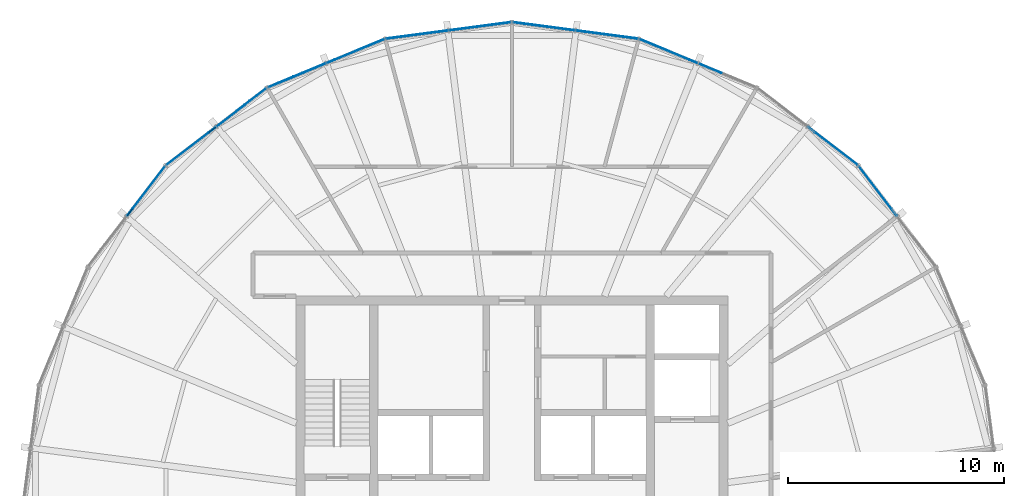
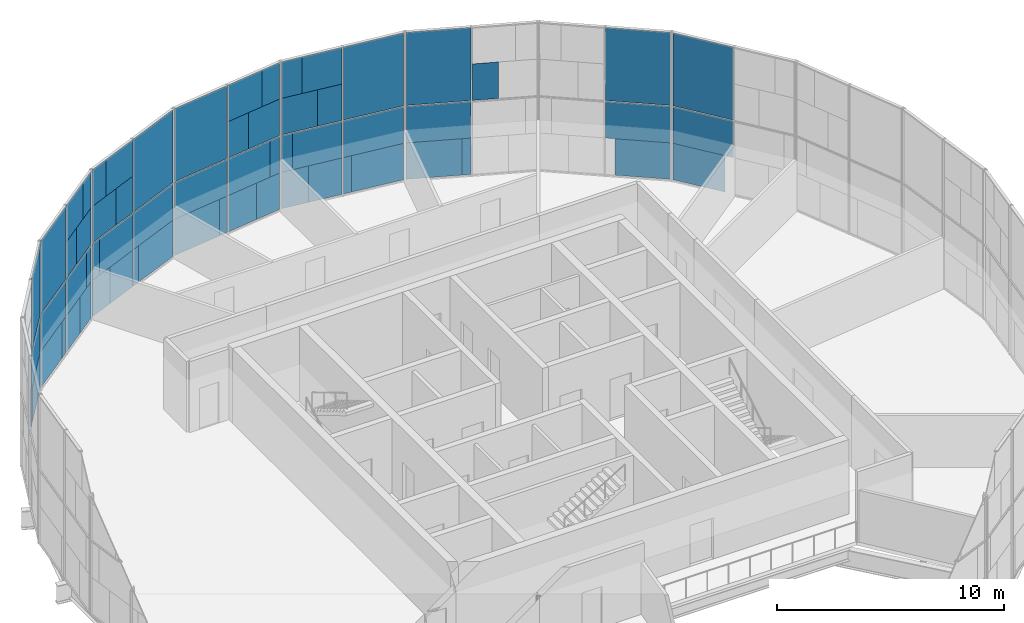
# One storey, part 14 of 19: 63 plates, 8 elements without a shape of their own.
"""IFC4 building model written with IfcOpenShell, lengths in metres."""

from ifc_helpers import new_model, si_unit, direction, frame, origin, origin_2d, place, context, subcontext, project, spatial, rectangle, extrude, material, layer, layer_set, type_object, element, aggregate, save


model = new_model("IFC4")

# Units and contexts
model_context = context("Model", 3, precision=1e-05, world=origin(), true_north=direction((0.0, 1.0)))
body_context = subcontext(model_context, "Body", "Model", "MODEL_VIEW")
ifc_project = project(units=[si_unit("LENGTHUNIT", "METRE"), si_unit("AREAUNIT", "SQUARE_METRE"), si_unit("VOLUMEUNIT", "CUBIC_METRE"), si_unit("PLANEANGLEUNIT", "RADIAN"), si_unit("MASSUNIT", "GRAM", prefix="KILO")], contexts=[model_context])

# Site, building, storey
site_placement = place(None, origin())
site = spatial("IfcSite", under=ifc_project, at=site_placement, CompositionType="ELEMENT")
building_placement = place(site_placement, origin())
building = spatial("IfcBuilding", under=site, at=building_placement, Name="Golbaran Civic Tower", CompositionType="ELEMENT")
storey_placement = place(building_placement, frame((0.0, 0.0, 240.0)))
storey = spatial("IfcBuildingStorey", under=building, at=storey_placement, Name="L58", CompositionType="ELEMENT", Elevation=240.0)

# Curtain wall, plates
ifc_material_1 = material(Name="Aluminium and glass", Category="aluminium")
curtain_wall_type = type_object("IfcCurtainWallType", Name="INNER SKIN CURTAIN WALL EXECUTIVE", PredefinedType="NOTDEFINED", material=ifc_material_1)
curtain_wall_1_placement = place(storey_placement, origin())
curtain_wall_1 = element("IfcCurtainWall", 1, at=curtain_wall_1_placement, inside=storey, type_object=curtain_wall_type, Name="Inner skin L58 facet 3 CW2", ObjectType="INNER SKIN", PredefinedType="USERDEFINED")
ifc_material_2 = material(Name="Clear insulating glass", Category="glass")
ifc_layer_1 = layer(ifc_material_2, 0.031982421875, Name="Clear insulating glass")
ifc_layer_set_1 = layer_set([ifc_layer_1], Name="Clear insulating glass")
plate_type_1 = type_object("IfcPlateType", Name="INNER SKIN CURTAIN WALL EXECUTIVE GLAZED PANEL", PredefinedType="CURTAIN_PANEL", material=ifc_layer_set_1)
plate_1_placement = place(storey_placement, frame((16.84033203125, 15.023193359375, 0.06005859375), z_axis=(0.0, 0.0, 1.0), x_axis=(-0.608761429009, 0.793353340291, 0.0)))
plate_1 = element("IfcPlate", 2, at=plate_1_placement, type_object=plate_type_1, Name="CW2 panel 2.1 part 2", PredefinedType="CURTAIN_PANEL", context=body_context, shape_type="SweptSolid", body=[
    extrude(rectangle(XDim=2.471923828125, YDim=0.031982421875, at=origin_2d()), origin(), (0.0, 0.0, 1.0), 1.955078125),
])
plate_2_placement = place(storey_placement, frame((16.96240234375, 14.864013671875, 2.014892578125), z_axis=(0.0, 0.0, 1.0), x_axis=(-0.608761429009, 0.793353340291, 0.0)))
plate_2 = element("IfcPlate", 3, at=plate_2_placement, type_object=plate_type_1, Name="CW2 panel 2.1 part 3", PredefinedType="CURTAIN_PANEL", context=body_context, shape_type="SweptSolid", body=[
    extrude(rectangle(XDim=2.873046875, YDim=0.031982421875, at=origin_2d()), origin(), (0.0, 0.0, 1.0), 1.955078125),
])
plate_3_placement = place(storey_placement, frame((16.96240234375, 14.864013671875, 4.0302734375), z_axis=(0.0, 0.0, 1.0), x_axis=(-0.608761429009, 0.793353340291, 0.0)))
plate_3 = element("IfcPlate", 4, at=plate_3_placement, type_object=plate_type_1, Name="CW2 panel 2.2", PredefinedType="CURTAIN_PANEL", context=body_context, shape_type="SweptSolid", body=[
    extrude(rectangle(XDim=2.873046875, YDim=0.031982421875, at=origin_2d()), origin(), (0.0, 0.0, 1.0), 3.909912109375),
])
aggregate(curtain_wall_1, [plate_1, plate_2, plate_3])

curtain_wall_2_placement = place(storey_placement, origin())
curtain_wall_2 = element("IfcCurtainWall", 5, at=curtain_wall_2_placement, inside=storey, type_object=curtain_wall_type, Name="Inner skin L58 facet 4 CW2", ObjectType="INNER SKIN", PredefinedType="USERDEFINED")
plate_4_placement = place(storey_placement, frame((15.0234375, 16.840087890625, 0.06005859375), z_axis=(0.0, 0.0, 1.0), x_axis=(-0.793353340291, 0.608761429009, 0.0)))
plate_4 = element("IfcPlate", 6, at=plate_4_placement, type_object=plate_type_1, Name="CW2 panel 1.1 part 1", PredefinedType="CURTAIN_PANEL", context=body_context, shape_type="SweptSolid", body=[
    extrude(rectangle(XDim=2.470947265625, YDim=0.031982421875, at=origin_2d()), origin(), (0.0, 0.0, 1.0), 1.955078125),
])
plate_5_placement = place(storey_placement, frame((14.864013671875, 16.96240234375, 2.014892578125), z_axis=(0.0, 0.0, 1.0), x_axis=(-0.793353340291, 0.608761429009, 0.0)))
plate_5 = element("IfcPlate", 7, at=plate_5_placement, type_object=plate_type_1, Name="CW2 panel 1.1 part 3", PredefinedType="CURTAIN_PANEL", context=body_context, shape_type="SweptSolid", body=[
    extrude(rectangle(XDim=2.873046875, YDim=0.031982421875, at=origin_2d()), origin(), (0.0, 0.0, 1.0), 1.955078125),
])
plate_6_placement = place(storey_placement, frame((14.864013671875, 16.96240234375, 4.0302734375), z_axis=(0.0, 0.0, 1.0), x_axis=(-0.793353340291, 0.608761429009, 0.0)))
plate_6 = element("IfcPlate", 8, at=plate_6_placement, type_object=plate_type_1, Name="CW2 panel 1.2", PredefinedType="CURTAIN_PANEL", context=body_context, shape_type="SweptSolid", body=[
    extrude(rectangle(XDim=2.873046875, YDim=0.031982421875, at=origin_2d()), origin(), (0.0, 0.0, 1.0), 3.909912109375),
])
aggregate(curtain_wall_2, [plate_4, plate_5, plate_6])

curtain_wall_3_placement = place(storey_placement, origin())
curtain_wall_3 = element("IfcCurtainWall", 9, at=curtain_wall_3_placement, inside=storey, type_object=curtain_wall_type, Name="Inner skin L58 facet 5 CW2", ObjectType="INNER SKIN", PredefinedType="USERDEFINED")
plate_7_placement = place(storey_placement, frame((9.176025390625, 20.559326171875, 4.030029296875), z_axis=(0.0, 0.0, 1.0), x_axis=(-0.923879532498, 0.382683432397, 0.0)))
plate_7 = element("IfcPlate", 10, at=plate_7_placement, type_object=plate_type_1, Name="CW2 panel 1.2 part 2", PredefinedType="CURTAIN_PANEL", context=body_context, shape_type="SweptSolid", body=[
    extrude(rectangle(XDim=1.159912109375, YDim=0.031982421875, at=origin_2d()), origin(), (0.0, 0.0, 1.0), 1.955078125),
])
plate_8_placement = place(storey_placement, frame((7.072509765625, 21.4306640625, 0.06005859375), z_axis=(0.0, 0.0, 1.0), x_axis=(-0.923879532498, 0.382683432397, 0.0)))
plate_8 = element("IfcPlate", 11, at=plate_8_placement, type_object=plate_type_1, Name="CW2 panel 2.1 part 2", PredefinedType="CURTAIN_PANEL", context=body_context, shape_type="SweptSolid", body=[
    extrude(rectangle(XDim=2.471923828125, YDim=0.031982421875, at=origin_2d()), origin(), (0.0, 0.0, 1.0), 1.955078125),
])
plate_9_placement = place(storey_placement, frame((7.2578125, 21.353759765625, 2.014892578125), z_axis=(0.0, 0.0, 1.0), x_axis=(-0.923879532498, 0.382683432397, 0.0)))
plate_9 = element("IfcPlate", 12, at=plate_9_placement, type_object=plate_type_1, Name="CW2 panel 2.1 part 3", PredefinedType="CURTAIN_PANEL", context=body_context, shape_type="SweptSolid", body=[
    extrude(rectangle(XDim=2.873046875, YDim=0.031982421875, at=origin_2d()), origin(), (0.0, 0.0, 1.0), 1.955078125),
])
plate_10_placement = place(storey_placement, frame((7.2578125, 21.353759765625, 4.0302734375), z_axis=(0.0, 0.0, 1.0), x_axis=(-0.923879532498, 0.382683432397, 0.0)))
plate_10 = element("IfcPlate", 13, at=plate_10_placement, type_object=plate_type_1, Name="CW2 panel 2.2", PredefinedType="CURTAIN_PANEL", context=body_context, shape_type="SweptSolid", body=[
    extrude(rectangle(XDim=2.873046875, YDim=0.031982421875, at=origin_2d()), origin(), (0.0, 0.0, 1.0), 3.909912109375),
])

curtain_wall_4_placement = place(storey_placement, origin())
curtain_wall_4 = element("IfcCurtainWall", 14, at=curtain_wall_4_placement, inside=storey, type_object=curtain_wall_type, Name="Inner skin L58 facet 6 CW2", ObjectType="INNER SKIN", PredefinedType="USERDEFINED")
plate_11_placement = place(storey_placement, frame((4.5908203125, 22.095703125, 0.06005859375), z_axis=(0.0, 0.0, 1.0), x_axis=(-0.991444861381, 0.130526192168, 0.0)))
plate_11 = element("IfcPlate", 15, at=plate_11_placement, type_object=plate_type_1, Name="CW2 panel 1.1 part 1", PredefinedType="CURTAIN_PANEL", context=body_context, shape_type="SweptSolid", body=[
    extrude(rectangle(XDim=2.470947265625, YDim=0.031982421875, at=origin_2d()), origin(), (0.0, 0.0, 1.0), 1.955078125),
])
plate_12_placement = place(storey_placement, frame((4.3916015625, 22.121826171875, 2.014892578125), z_axis=(0.0, 0.0, 1.0), x_axis=(-0.991444861381, 0.130526192168, 0.0)))
plate_12 = element("IfcPlate", 16, at=plate_12_placement, type_object=plate_type_1, Name="CW2 panel 1.1 part 3", PredefinedType="CURTAIN_PANEL", context=body_context, shape_type="SweptSolid", body=[
    extrude(rectangle(XDim=2.873046875, YDim=0.031982421875, at=origin_2d()), origin(), (0.0, 0.0, 1.0), 1.955078125),
])
plate_13_placement = place(storey_placement, frame((4.3916015625, 22.121826171875, 4.0302734375), z_axis=(0.0, 0.0, 1.0), x_axis=(-0.991444861381, 0.130526192168, 0.0)))
plate_13 = element("IfcPlate", 17, at=plate_13_placement, type_object=plate_type_1, Name="CW2 panel 1.2", PredefinedType="CURTAIN_PANEL", context=body_context, shape_type="SweptSolid", body=[
    extrude(rectangle(XDim=2.873046875, YDim=0.031982421875, at=origin_2d()), origin(), (0.0, 0.0, 1.0), 3.909912109375),
])
plate_14_placement = place(storey_placement, frame((0.68896484375, 22.609375, 0.06005859375), z_axis=(0.0, 0.0, 1.0), x_axis=(-0.991444861381, 0.130526192168, 0.0)))
plate_14 = element("IfcPlate", 18, at=plate_14_placement, type_object=plate_type_1, Name="CW2 panel 2.1 part 2", PredefinedType="CURTAIN_PANEL", context=body_context, shape_type="SweptSolid", body=[
    extrude(rectangle(XDim=1.27001953125, YDim=0.031982421875, at=origin_2d()), origin(), (0.0, 0.0, 1.0), 1.955078125),
])
plate_15_placement = place(storey_placement, frame((0.315185546875, 22.658447265625, 2.014892578125), z_axis=(0.0, 0.0, 1.0), x_axis=(-0.991444861381, 0.130526192168, 0.0)))
plate_15 = element("IfcPlate", 19, at=plate_15_placement, type_object=plate_type_1, Name="CW2 panel 2.1 part 4", PredefinedType="CURTAIN_PANEL", context=body_context, shape_type="SweptSolid", body=[
    extrude(rectangle(XDim=0.515869140625, YDim=0.031982421875, at=origin_2d()), origin(), (0.0, 0.0, 1.0), 1.955078125),
])
plate_16_placement = place(storey_placement, frame((2.332763671875, 22.392822265625, 4.030029296875), z_axis=(0.0, 0.0, 1.0), x_axis=(-0.991444861381, 0.130526192168, 0.0)))
plate_16 = element("IfcPlate", 20, at=plate_16_placement, type_object=plate_type_1, Name="CW2 panel 2.2 part 1", PredefinedType="CURTAIN_PANEL", context=body_context, shape_type="SweptSolid", body=[
    extrude(rectangle(XDim=1.159912109375, YDim=0.031982421875, at=origin_2d()), origin(), (0.0, 0.0, 1.0), 1.955078125),
])
plate_17_placement = place(storey_placement, frame((1.958984375, 22.442138671875, 5.98486328125), z_axis=(0.0, 0.0, 1.0), x_axis=(-0.991444861381, 0.130526192168, 0.0)))
plate_17 = element("IfcPlate", 21, at=plate_17_placement, type_object=plate_type_1, Name="CW2 panel 2.2 part 3", PredefinedType="CURTAIN_PANEL", context=body_context, shape_type="SweptSolid", body=[
    extrude(rectangle(XDim=1.9140625, YDim=0.031982421875, at=origin_2d()), origin(), (0.0, 0.0, 1.0), 1.955078125),
])

curtain_wall_5_placement = place(storey_placement, origin())
curtain_wall_5 = element("IfcCurtainWall", 22, at=curtain_wall_5_placement, inside=storey, type_object=curtain_wall_type, Name="Inner skin L58 facet 7 CW2", ObjectType="INNER SKIN", PredefinedType="USERDEFINED")
plate_18_placement = place(storey_placement, frame((-0.68896484375, 22.609375, 0.06005859375), z_axis=(0.0, 0.0, 1.0), x_axis=(-0.991444861381, -0.130526192168, 0.0)))
plate_18 = element("IfcPlate", 23, at=plate_18_placement, type_object=plate_type_1, Name="CW2 panel 1.1 part 1", PredefinedType="CURTAIN_PANEL", context=body_context, shape_type="SweptSolid", body=[
    extrude(rectangle(XDim=1.27001953125, YDim=0.031982421875, at=origin_2d()), origin(), (0.0, 0.0, 1.0), 1.955078125),
])
plate_19_placement = place(storey_placement, frame((-0.315185546875, 22.658447265625, 2.014892578125), z_axis=(0.0, 0.0, 1.0), x_axis=(-0.991444861381, -0.130526192168, 0.0)))
plate_19 = element("IfcPlate", 24, at=plate_19_placement, type_object=plate_type_1, Name="CW2 panel 1.1 part 3", PredefinedType="CURTAIN_PANEL", context=body_context, shape_type="SweptSolid", body=[
    extrude(rectangle(XDim=0.51611328125, YDim=0.031982421875, at=origin_2d()), origin(), (0.0, 0.0, 1.0), 1.955078125),
])
plate_20_placement = place(storey_placement, frame((-2.332763671875, 22.392822265625, 4.030029296875), z_axis=(0.0, 0.0, 1.0), x_axis=(-0.991444861381, -0.130526192168, 0.0)))
plate_20 = element("IfcPlate", 25, at=plate_20_placement, type_object=plate_type_1, Name="CW2 panel 1.2 part 2", PredefinedType="CURTAIN_PANEL", context=body_context, shape_type="SweptSolid", body=[
    extrude(rectangle(XDim=1.159912109375, YDim=0.031982421875, at=origin_2d()), origin(), (0.0, 0.0, 1.0), 1.955078125),
])
plate_21_placement = place(storey_placement, frame((-1.958984375, 22.442138671875, 5.98486328125), z_axis=(0.0, 0.0, 1.0), x_axis=(-0.991444861381, -0.130526192168, 0.0)))
plate_21 = element("IfcPlate", 26, at=plate_21_placement, type_object=plate_type_1, Name="CW2 panel 1.2 part 4", PredefinedType="CURTAIN_PANEL", context=body_context, shape_type="SweptSolid", body=[
    extrude(rectangle(XDim=1.9140625, YDim=0.031982421875, at=origin_2d()), origin(), (0.0, 0.0, 1.0), 1.955078125),
])
plate_22_placement = place(storey_placement, frame((-4.59033203125, 22.095703125, 0.06005859375), z_axis=(0.0, 0.0, 1.0), x_axis=(-0.991444861381, -0.130526192168, 0.0)))
plate_22 = element("IfcPlate", 27, at=plate_22_placement, type_object=plate_type_1, Name="CW2 panel 2.1 part 2", PredefinedType="CURTAIN_PANEL", context=body_context, shape_type="SweptSolid", body=[
    extrude(rectangle(XDim=2.471923828125, YDim=0.031982421875, at=origin_2d()), origin(), (0.0, 0.0, 1.0), 1.955078125),
])
plate_23_placement = place(storey_placement, frame((-4.3916015625, 22.121826171875, 2.014892578125), z_axis=(0.0, 0.0, 1.0), x_axis=(-0.991444861381, -0.130526192168, 0.0)))
plate_23 = element("IfcPlate", 28, at=plate_23_placement, type_object=plate_type_1, Name="CW2 panel 2.1 part 3", PredefinedType="CURTAIN_PANEL", context=body_context, shape_type="SweptSolid", body=[
    extrude(rectangle(XDim=2.873046875, YDim=0.031982421875, at=origin_2d()), origin(), (0.0, 0.0, 1.0), 1.955078125),
])
plate_24_placement = place(storey_placement, frame((-4.3916015625, 22.121826171875, 4.0302734375), z_axis=(0.0, 0.0, 1.0), x_axis=(-0.991444861381, -0.130526192168, 0.0)))
plate_24 = element("IfcPlate", 29, at=plate_24_placement, type_object=plate_type_1, Name="CW2 panel 2.2", PredefinedType="CURTAIN_PANEL", context=body_context, shape_type="SweptSolid", body=[
    extrude(rectangle(XDim=2.873046875, YDim=0.031982421875, at=origin_2d()), origin(), (0.0, 0.0, 1.0), 3.909912109375),
])

curtain_wall_6_placement = place(storey_placement, origin())
curtain_wall_6 = element("IfcCurtainWall", 30, at=curtain_wall_6_placement, inside=storey, type_object=curtain_wall_type, Name="Inner skin L58 facet 8 CW2", ObjectType="INNER SKIN", PredefinedType="USERDEFINED")
plate_25_placement = place(storey_placement, frame((-7.072021484375, 21.4306640625, 0.06005859375), z_axis=(0.0, 0.0, 1.0), x_axis=(-0.923879532498, -0.382683432397, 0.0)))
plate_25 = element("IfcPlate", 31, at=plate_25_placement, type_object=plate_type_1, Name="CW2 panel 1.1 part 1", PredefinedType="CURTAIN_PANEL", context=body_context, shape_type="SweptSolid", body=[
    extrude(rectangle(XDim=2.470947265625, YDim=0.031982421875, at=origin_2d()), origin(), (0.0, 0.0, 1.0), 1.955078125),
])
plate_26_placement = place(storey_placement, frame((-7.2578125, 21.353759765625, 2.014892578125), z_axis=(0.0, 0.0, 1.0), x_axis=(-0.923879532498, -0.382683432397, 0.0)))
plate_26 = element("IfcPlate", 32, at=plate_26_placement, type_object=plate_type_1, Name="CW2 panel 1.1 part 3", PredefinedType="CURTAIN_PANEL", context=body_context, shape_type="SweptSolid", body=[
    extrude(rectangle(XDim=2.873046875, YDim=0.031982421875, at=origin_2d()), origin(), (0.0, 0.0, 1.0), 1.955078125),
])
plate_27_placement = place(storey_placement, frame((-7.2578125, 21.353759765625, 4.0302734375), z_axis=(0.0, 0.0, 1.0), x_axis=(-0.923879532498, -0.382683432397, 0.0)))
plate_27 = element("IfcPlate", 33, at=plate_27_placement, type_object=plate_type_1, Name="CW2 panel 1.2", PredefinedType="CURTAIN_PANEL", context=body_context, shape_type="SweptSolid", body=[
    extrude(rectangle(XDim=2.873046875, YDim=0.031982421875, at=origin_2d()), origin(), (0.0, 0.0, 1.0), 3.909912109375),
])
plate_28_placement = place(storey_placement, frame((-10.7080078125, 19.9248046875, 0.06005859375), z_axis=(0.0, 0.0, 1.0), x_axis=(-0.923879532498, -0.382683432397, 0.0)))
plate_28 = element("IfcPlate", 34, at=plate_28_placement, type_object=plate_type_1, Name="CW2 panel 2.1 part 2", PredefinedType="CURTAIN_PANEL", context=body_context, shape_type="SweptSolid", body=[
    extrude(rectangle(XDim=1.27001953125, YDim=0.031982421875, at=origin_2d()), origin(), (0.0, 0.0, 1.0), 1.955078125),
])
plate_29_placement = place(storey_placement, frame((-11.05615234375, 19.780517578125, 2.014892578125), z_axis=(0.0, 0.0, 1.0), x_axis=(-0.923879532498, -0.382683432397, 0.0)))
plate_29 = element("IfcPlate", 35, at=plate_29_placement, type_object=plate_type_1, Name="CW2 panel 2.1 part 4", PredefinedType="CURTAIN_PANEL", context=body_context, shape_type="SweptSolid", body=[
    extrude(rectangle(XDim=0.515869140625, YDim=0.031982421875, at=origin_2d()), origin(), (0.0, 0.0, 1.0), 1.955078125),
])
plate_30_placement = place(storey_placement, frame((-9.17626953125, 20.559326171875, 4.030029296875), z_axis=(0.0, 0.0, 1.0), x_axis=(-0.923879532498, -0.382683432397, 0.0)))
plate_30 = element("IfcPlate", 36, at=plate_30_placement, type_object=plate_type_1, Name="CW2 panel 2.2 part 1", PredefinedType="CURTAIN_PANEL", context=body_context, shape_type="SweptSolid", body=[
    extrude(rectangle(XDim=1.159912109375, YDim=0.031982421875, at=origin_2d()), origin(), (0.0, 0.0, 1.0), 1.955078125),
])
plate_31_placement = place(storey_placement, frame((-9.5244140625, 20.4150390625, 5.98486328125), z_axis=(0.0, 0.0, 1.0), x_axis=(-0.923879532498, -0.382683432397, 0.0)))
plate_31 = element("IfcPlate", 37, at=plate_31_placement, type_object=plate_type_1, Name="CW2 panel 2.2 part 3", PredefinedType="CURTAIN_PANEL", context=body_context, shape_type="SweptSolid", body=[
    extrude(rectangle(XDim=1.9140625, YDim=0.031982421875, at=origin_2d()), origin(), (0.0, 0.0, 1.0), 1.955078125),
])

curtain_wall_7_placement = place(storey_placement, origin())
curtain_wall_7 = element("IfcCurtainWall", 38, at=curtain_wall_7_placement, inside=storey, type_object=curtain_wall_type, Name="Inner skin L58 facet 9 CW2", ObjectType="INNER SKIN", PredefinedType="USERDEFINED")
plate_32_placement = place(storey_placement, frame((-11.9013671875, 19.235595703125, 0.06005859375), z_axis=(0.0, 0.0, 1.0), x_axis=(-0.793353340291, -0.608761429009, 0.0)))
plate_32 = element("IfcPlate", 39, at=plate_32_placement, type_object=plate_type_1, Name="CW2 panel 1.1 part 1", PredefinedType="CURTAIN_PANEL", context=body_context, shape_type="SweptSolid", body=[
    extrude(rectangle(XDim=1.27001953125, YDim=0.031982421875, at=origin_2d()), origin(), (0.0, 0.0, 1.0), 1.955078125),
])
plate_33_placement = place(storey_placement, frame((-11.602294921875, 19.465087890625, 2.014892578125), z_axis=(0.0, 0.0, 1.0), x_axis=(-0.793353340291, -0.608761429009, 0.0)))
plate_33 = element("IfcPlate", 40, at=plate_33_placement, type_object=plate_type_1, Name="CW2 panel 1.1 part 3", PredefinedType="CURTAIN_PANEL", context=body_context, shape_type="SweptSolid", body=[
    extrude(rectangle(XDim=0.51611328125, YDim=0.031982421875, at=origin_2d()), origin(), (0.0, 0.0, 1.0), 1.955078125),
])
plate_34_placement = place(storey_placement, frame((-13.216796875, 18.226318359375, 4.030029296875), z_axis=(0.0, 0.0, 1.0), x_axis=(-0.793353340291, -0.608761429009, 0.0)))
plate_34 = element("IfcPlate", 41, at=plate_34_placement, type_object=plate_type_1, Name="CW2 panel 1.2 part 2", PredefinedType="CURTAIN_PANEL", context=body_context, shape_type="SweptSolid", body=[
    extrude(rectangle(XDim=1.159912109375, YDim=0.031982421875, at=origin_2d()), origin(), (0.0, 0.0, 1.0), 1.955078125),
])
plate_35_placement = place(storey_placement, frame((-12.917724609375, 18.455810546875, 5.98486328125), z_axis=(0.0, 0.0, 1.0), x_axis=(-0.793353340291, -0.608761429009, 0.0)))
plate_35 = element("IfcPlate", 42, at=plate_35_placement, type_object=plate_type_1, Name="CW2 panel 1.2 part 4", PredefinedType="CURTAIN_PANEL", context=body_context, shape_type="SweptSolid", body=[
    extrude(rectangle(XDim=1.9140625, YDim=0.031982421875, at=origin_2d()), origin(), (0.0, 0.0, 1.0), 1.955078125),
])
plate_36_placement = place(storey_placement, frame((-15.023193359375, 16.84033203125, 0.06005859375), z_axis=(0.0, 0.0, 1.0), x_axis=(-0.793353340291, -0.608761429009, 0.0)))
plate_36 = element("IfcPlate", 43, at=plate_36_placement, type_object=plate_type_1, Name="CW2 panel 2.1 part 2", PredefinedType="CURTAIN_PANEL", context=body_context, shape_type="SweptSolid", body=[
    extrude(rectangle(XDim=2.471923828125, YDim=0.031982421875, at=origin_2d()), origin(), (0.0, 0.0, 1.0), 1.955078125),
])
plate_37_placement = place(storey_placement, frame((-14.864013671875, 16.96240234375, 2.014892578125), z_axis=(0.0, 0.0, 1.0), x_axis=(-0.793353340291, -0.608761429009, 0.0)))
plate_37 = element("IfcPlate", 44, at=plate_37_placement, type_object=plate_type_1, Name="CW2 panel 2.1 part 3", PredefinedType="CURTAIN_PANEL", context=body_context, shape_type="SweptSolid", body=[
    extrude(rectangle(XDim=2.873046875, YDim=0.031982421875, at=origin_2d()), origin(), (0.0, 0.0, 1.0), 1.955078125),
])
plate_38_placement = place(storey_placement, frame((-14.864013671875, 16.96240234375, 4.0302734375), z_axis=(0.0, 0.0, 1.0), x_axis=(-0.793353340291, -0.608761429009, 0.0)))
plate_38 = element("IfcPlate", 45, at=plate_38_placement, type_object=plate_type_1, Name="CW2 panel 2.2", PredefinedType="CURTAIN_PANEL", context=body_context, shape_type="SweptSolid", body=[
    extrude(rectangle(XDim=2.873046875, YDim=0.031982421875, at=origin_2d()), origin(), (0.0, 0.0, 1.0), 3.909912109375),
])

curtain_wall_8_placement = place(storey_placement, origin())
curtain_wall_8 = element("IfcCurtainWall", 46, at=curtain_wall_8_placement, inside=storey, type_object=curtain_wall_type, Name="Inner skin L58 facet 10 CW2", ObjectType="INNER SKIN", PredefinedType="USERDEFINED")
plate_39_placement = place(storey_placement, frame((-16.840087890625, 15.0234375, 0.06005859375), z_axis=(0.0, 0.0, 1.0), x_axis=(-0.608761429009, -0.793353340291, 0.0)))
plate_39 = element("IfcPlate", 47, at=plate_39_placement, type_object=plate_type_1, Name="CW2 panel 1.1 part 1", PredefinedType="CURTAIN_PANEL", context=body_context, shape_type="SweptSolid", body=[
    extrude(rectangle(XDim=2.470947265625, YDim=0.031982421875, at=origin_2d()), origin(), (0.0, 0.0, 1.0), 1.955078125),
])
plate_40_placement = place(storey_placement, frame((-16.96240234375, 14.864013671875, 2.014892578125), z_axis=(0.0, 0.0, 1.0), x_axis=(-0.608761429009, -0.793353340291, 0.0)))
plate_40 = element("IfcPlate", 48, at=plate_40_placement, type_object=plate_type_1, Name="CW2 panel 1.1 part 3", PredefinedType="CURTAIN_PANEL", context=body_context, shape_type="SweptSolid", body=[
    extrude(rectangle(XDim=2.873046875, YDim=0.031982421875, at=origin_2d()), origin(), (0.0, 0.0, 1.0), 1.955078125),
])
plate_41_placement = place(storey_placement, frame((-16.96240234375, 14.864013671875, 4.0302734375), z_axis=(0.0, 0.0, 1.0), x_axis=(-0.608761429009, -0.793353340291, 0.0)))
plate_41 = element("IfcPlate", 49, at=plate_41_placement, type_object=plate_type_1, Name="CW2 panel 1.2", PredefinedType="CURTAIN_PANEL", context=body_context, shape_type="SweptSolid", body=[
    extrude(rectangle(XDim=2.873046875, YDim=0.031982421875, at=origin_2d()), origin(), (0.0, 0.0, 1.0), 3.909912109375),
])

# Plate
ifc_material_3 = material(Name="Aluminium faced opaque infill panel", Category="aluminium")
ifc_layer_2 = layer(ifc_material_3, 0.031982421875, Name="Aluminium faced opaque infill panel")
ifc_layer_set_2 = layer_set([ifc_layer_2], Name="Aluminium faced opaque infill panel")
plate_type_2 = type_object("IfcPlateType", Name="INNER SKIN CURTAIN WALL EXECUTIVE OPAQUE INFILL PANEL", PredefinedType="CURTAIN_PANEL", material=ifc_layer_set_2)
plate_42_placement = place(storey_placement, frame((8.399658203125, 20.880859375, 0.06005859375), z_axis=(0.0, 0.0, 1.0), x_axis=(-0.923879532498, 0.382683432397, 0.0)))
plate_42 = element("IfcPlate", 50, at=plate_42_placement, type_object=plate_type_2, Name="CW2 infill panel 2.1 part 1", PredefinedType="CURTAIN_PANEL", context=body_context, shape_type="SweptSolid", body=[
    extrude(rectangle(XDim=0.40087890625, YDim=0.031982421875, at=origin_2d()), origin(), (0.0, 0.0, 1.0), 1.955078125),
])

aggregate(curtain_wall_3, [plate_7, plate_42, plate_8, plate_9, plate_10])

plate_43_placement = place(storey_placement, frame((3.16650390625, 22.283203125, 0.06005859375), z_axis=(0.0, 0.0, 1.0), x_axis=(-0.991444861381, 0.130526192168, 0.0)))
plate_43 = element("IfcPlate", 51, at=plate_43_placement, type_object=plate_type_2, Name="CW2 infill panel 1.1 part 2", PredefinedType="CURTAIN_PANEL", context=body_context, shape_type="SweptSolid", body=[
    extrude(rectangle(XDim=0.40185546875, YDim=0.031982421875, at=origin_2d()), origin(), (0.0, 0.0, 1.0), 1.955078125),
])

plate_44_placement = place(storey_placement, frame((2.11328125, 22.421875, 0.06005859375), z_axis=(0.0, 0.0, 1.0), x_axis=(-0.991444861381, 0.130526192168, 0.0)))
plate_44 = element("IfcPlate", 52, at=plate_44_placement, type_object=plate_type_2, Name="CW2 infill panel 2.1 part 1", PredefinedType="CURTAIN_PANEL", context=body_context, shape_type="SweptSolid", body=[
    extrude(rectangle(XDim=1.60302734375, YDim=0.031982421875, at=origin_2d()), origin(), (0.0, 0.0, 1.0), 1.955078125),
])

plate_45_placement = place(storey_placement, frame((1.739501953125, 22.470947265625, 2.014892578125), z_axis=(0.0, 0.0, 1.0), x_axis=(-0.991444861381, 0.130526192168, 0.0)))
plate_45 = element("IfcPlate", 53, at=plate_45_placement, type_object=plate_type_2, Name="CW2 infill panel 2.1 part 3", PredefinedType="CURTAIN_PANEL", context=body_context, shape_type="SweptSolid", body=[
    extrude(rectangle(XDim=2.35693359375, YDim=0.031982421875, at=origin_2d()), origin(), (0.0, 0.0, 1.0), 1.955078125),
])

plate_46_placement = place(storey_placement, frame((0.90869140625, 22.580322265625, 4.030029296875), z_axis=(0.0, 0.0, 1.0), x_axis=(-0.991444861381, 0.130526192168, 0.0)))
plate_46 = element("IfcPlate", 54, at=plate_46_placement, type_object=plate_type_2, Name="CW2 infill panel 2.2 part 2", PredefinedType="CURTAIN_PANEL", context=body_context, shape_type="SweptSolid", body=[
    extrude(rectangle(XDim=1.712890625, YDim=0.031982421875, at=origin_2d()), origin(), (0.0, 0.0, 1.0), 1.955078125),
])

plate_47_placement = place(storey_placement, frame((0.534912109375, 22.629638671875, 5.98486328125), z_axis=(0.0, 0.0, 1.0), x_axis=(-0.991444861381, 0.130526192168, 0.0)))
plate_47 = element("IfcPlate", 55, at=plate_47_placement, type_object=plate_type_2, Name="CW2 infill panel 2.2 part 4", PredefinedType="CURTAIN_PANEL", context=body_context, shape_type="SweptSolid", body=[
    extrude(rectangle(XDim=0.958984375, YDim=0.031982421875, at=origin_2d()), origin(), (0.0, 0.0, 1.0), 1.955078125),
])

aggregate(curtain_wall_4, [plate_11, plate_43, plate_12, plate_13, plate_44, plate_14, plate_45, plate_15, plate_16, plate_46, plate_17, plate_47])

plate_48_placement = place(storey_placement, frame((-2.11328125, 22.421875, 0.06005859375), z_axis=(0.0, 0.0, 1.0), x_axis=(-0.991444861381, -0.130526192168, 0.0)))
plate_48 = element("IfcPlate", 56, at=plate_48_placement, type_object=plate_type_2, Name="CW2 infill panel 1.1 part 2", PredefinedType="CURTAIN_PANEL", context=body_context, shape_type="SweptSolid", body=[
    extrude(rectangle(XDim=1.60302734375, YDim=0.031982421875, at=origin_2d()), origin(), (0.0, 0.0, 1.0), 1.955078125),
])

plate_49_placement = place(storey_placement, frame((-1.739501953125, 22.470947265625, 2.014892578125), z_axis=(0.0, 0.0, 1.0), x_axis=(-0.991444861381, -0.130526192168, 0.0)))
plate_49 = element("IfcPlate", 57, at=plate_49_placement, type_object=plate_type_2, Name="CW2 infill panel 1.1 part 4", PredefinedType="CURTAIN_PANEL", context=body_context, shape_type="SweptSolid", body=[
    extrude(rectangle(XDim=2.35693359375, YDim=0.031982421875, at=origin_2d()), origin(), (0.0, 0.0, 1.0), 1.955078125),
])

plate_50_placement = place(storey_placement, frame((-0.90869140625, 22.580322265625, 4.030029296875), z_axis=(0.0, 0.0, 1.0), x_axis=(-0.991444861381, -0.130526192168, 0.0)))
plate_50 = element("IfcPlate", 58, at=plate_50_placement, type_object=plate_type_2, Name="CW2 infill panel 1.2 part 1", PredefinedType="CURTAIN_PANEL", context=body_context, shape_type="SweptSolid", body=[
    extrude(rectangle(XDim=1.712890625, YDim=0.031982421875, at=origin_2d()), origin(), (0.0, 0.0, 1.0), 1.955078125),
])

plate_51_placement = place(storey_placement, frame((-0.534912109375, 22.629638671875, 5.98486328125), z_axis=(0.0, 0.0, 1.0), x_axis=(-0.991444861381, -0.130526192168, 0.0)))
plate_51 = element("IfcPlate", 59, at=plate_51_placement, type_object=plate_type_2, Name="CW2 infill panel 1.2 part 3", PredefinedType="CURTAIN_PANEL", context=body_context, shape_type="SweptSolid", body=[
    extrude(rectangle(XDim=0.958984375, YDim=0.031982421875, at=origin_2d()), origin(), (0.0, 0.0, 1.0), 1.955078125),
])

plate_52_placement = place(storey_placement, frame((-3.166015625, 22.283203125, 0.06005859375), z_axis=(0.0, 0.0, 1.0), x_axis=(-0.991444861381, -0.130526192168, 0.0)))
plate_52 = element("IfcPlate", 60, at=plate_52_placement, type_object=plate_type_2, Name="CW2 infill panel 2.1 part 1", PredefinedType="CURTAIN_PANEL", context=body_context, shape_type="SweptSolid", body=[
    extrude(rectangle(XDim=0.40087890625, YDim=0.031982421875, at=origin_2d()), origin(), (0.0, 0.0, 1.0), 1.955078125),
])

aggregate(curtain_wall_5, [plate_18, plate_48, plate_19, plate_49, plate_50, plate_20, plate_51, plate_21, plate_52, plate_22, plate_23, plate_24])

plate_53_placement = place(storey_placement, frame((-8.399169921875, 20.881103515625, 0.06005859375), z_axis=(0.0, 0.0, 1.0), x_axis=(-0.923879532498, -0.382683432397, 0.0)))
plate_53 = element("IfcPlate", 61, at=plate_53_placement, type_object=plate_type_2, Name="CW2 infill panel 1.1 part 2", PredefinedType="CURTAIN_PANEL", context=body_context, shape_type="SweptSolid", body=[
    extrude(rectangle(XDim=0.40185546875, YDim=0.031982421875, at=origin_2d()), origin(), (0.0, 0.0, 1.0), 1.955078125),
])

plate_54_placement = place(storey_placement, frame((-9.380859375, 20.474365234375, 0.06005859375), z_axis=(0.0, 0.0, 1.0), x_axis=(-0.923879532498, -0.382683432397, 0.0)))
plate_54 = element("IfcPlate", 62, at=plate_54_placement, type_object=plate_type_2, Name="CW2 infill panel 2.1 part 1", PredefinedType="CURTAIN_PANEL", context=body_context, shape_type="SweptSolid", body=[
    extrude(rectangle(XDim=1.60302734375, YDim=0.031982421875, at=origin_2d()), origin(), (0.0, 0.0, 1.0), 1.955078125),
])

plate_55_placement = place(storey_placement, frame((-9.72900390625, 20.330078125, 2.014892578125), z_axis=(0.0, 0.0, 1.0), x_axis=(-0.923879532498, -0.382683432397, 0.0)))
plate_55 = element("IfcPlate", 63, at=plate_55_placement, type_object=plate_type_2, Name="CW2 infill panel 2.1 part 3", PredefinedType="CURTAIN_PANEL", context=body_context, shape_type="SweptSolid", body=[
    extrude(rectangle(XDim=2.35693359375, YDim=0.031982421875, at=origin_2d()), origin(), (0.0, 0.0, 1.0), 1.955078125),
])

plate_56_placement = place(storey_placement, frame((-10.503173828125, 20.009521484375, 4.030029296875), z_axis=(0.0, 0.0, 1.0), x_axis=(-0.923879532498, -0.382683432397, 0.0)))
plate_56 = element("IfcPlate", 64, at=plate_56_placement, type_object=plate_type_2, Name="CW2 infill panel 2.2 part 2", PredefinedType="CURTAIN_PANEL", context=body_context, shape_type="SweptSolid", body=[
    extrude(rectangle(XDim=1.712890625, YDim=0.031982421875, at=origin_2d()), origin(), (0.0, 0.0, 1.0), 1.955078125),
])

plate_57_placement = place(storey_placement, frame((-10.8515625, 19.865234375, 5.98486328125), z_axis=(0.0, 0.0, 1.0), x_axis=(-0.923879532498, -0.382683432397, 0.0)))
plate_57 = element("IfcPlate", 65, at=plate_57_placement, type_object=plate_type_2, Name="CW2 infill panel 2.2 part 4", PredefinedType="CURTAIN_PANEL", context=body_context, shape_type="SweptSolid", body=[
    extrude(rectangle(XDim=0.958984375, YDim=0.031982421875, at=origin_2d()), origin(), (0.0, 0.0, 1.0), 1.955078125),
])

aggregate(curtain_wall_6, [plate_25, plate_53, plate_26, plate_27, plate_54, plate_28, plate_55, plate_29, plate_30, plate_56, plate_31, plate_57])

plate_58_placement = place(storey_placement, frame((-13.041015625, 18.361328125, 0.06005859375), z_axis=(0.0, 0.0, 1.0), x_axis=(-0.793353340291, -0.608761429009, 0.0)))
plate_58 = element("IfcPlate", 66, at=plate_58_placement, type_object=plate_type_2, Name="CW2 infill panel 1.1 part 2", PredefinedType="CURTAIN_PANEL", context=body_context, shape_type="SweptSolid", body=[
    extrude(rectangle(XDim=1.60302734375, YDim=0.031982421875, at=origin_2d()), origin(), (0.0, 0.0, 1.0), 1.955078125),
])

plate_59_placement = place(storey_placement, frame((-12.741943359375, 18.5908203125, 2.014892578125), z_axis=(0.0, 0.0, 1.0), x_axis=(-0.793353340291, -0.608761429009, 0.0)))
plate_59 = element("IfcPlate", 67, at=plate_59_placement, type_object=plate_type_2, Name="CW2 infill panel 1.1 part 4", PredefinedType="CURTAIN_PANEL", context=body_context, shape_type="SweptSolid", body=[
    extrude(rectangle(XDim=2.35693359375, YDim=0.031982421875, at=origin_2d()), origin(), (0.0, 0.0, 1.0), 1.955078125),
])

plate_60_placement = place(storey_placement, frame((-12.0771484375, 19.100830078125, 4.030029296875), z_axis=(0.0, 0.0, 1.0), x_axis=(-0.793353340291, -0.608761429009, 0.0)))
plate_60 = element("IfcPlate", 68, at=plate_60_placement, type_object=plate_type_2, Name="CW2 infill panel 1.2 part 1", PredefinedType="CURTAIN_PANEL", context=body_context, shape_type="SweptSolid", body=[
    extrude(rectangle(XDim=1.712890625, YDim=0.031982421875, at=origin_2d()), origin(), (0.0, 0.0, 1.0), 1.955078125),
])

plate_61_placement = place(storey_placement, frame((-11.778076171875, 19.330322265625, 5.98486328125), z_axis=(0.0, 0.0, 1.0), x_axis=(-0.793353340291, -0.608761429009, 0.0)))
plate_61 = element("IfcPlate", 69, at=plate_61_placement, type_object=plate_type_2, Name="CW2 infill panel 1.2 part 3", PredefinedType="CURTAIN_PANEL", context=body_context, shape_type="SweptSolid", body=[
    extrude(rectangle(XDim=0.958984375, YDim=0.031982421875, at=origin_2d()), origin(), (0.0, 0.0, 1.0), 1.955078125),
])

plate_62_placement = place(storey_placement, frame((-13.883544921875, 17.71484375, 0.06005859375), z_axis=(0.0, 0.0, 1.0), x_axis=(-0.793353340291, -0.608761429009, 0.0)))
plate_62 = element("IfcPlate", 70, at=plate_62_placement, type_object=plate_type_2, Name="CW2 infill panel 2.1 part 1", PredefinedType="CURTAIN_PANEL", context=body_context, shape_type="SweptSolid", body=[
    extrude(rectangle(XDim=0.40087890625, YDim=0.031982421875, at=origin_2d()), origin(), (0.0, 0.0, 1.0), 1.955078125),
])

aggregate(curtain_wall_7, [plate_32, plate_58, plate_33, plate_59, plate_60, plate_34, plate_61, plate_35, plate_62, plate_36, plate_37, plate_38])

plate_63_placement = place(storey_placement, frame((-17.71435546875, 13.8837890625, 0.06005859375), z_axis=(0.0, 0.0, 1.0), x_axis=(-0.608761429009, -0.793353340291, 0.0)))
plate_63 = element("IfcPlate", 71, at=plate_63_placement, type_object=plate_type_2, Name="CW2 infill panel 1.1 part 2", PredefinedType="CURTAIN_PANEL", context=body_context, shape_type="SweptSolid", body=[
    extrude(rectangle(XDim=0.40185546875, YDim=0.031982421875, at=origin_2d()), origin(), (0.0, 0.0, 1.0), 1.955078125),
])

aggregate(curtain_wall_8, [plate_39, plate_63, plate_40, plate_41])

save(model, "model.ifc")
